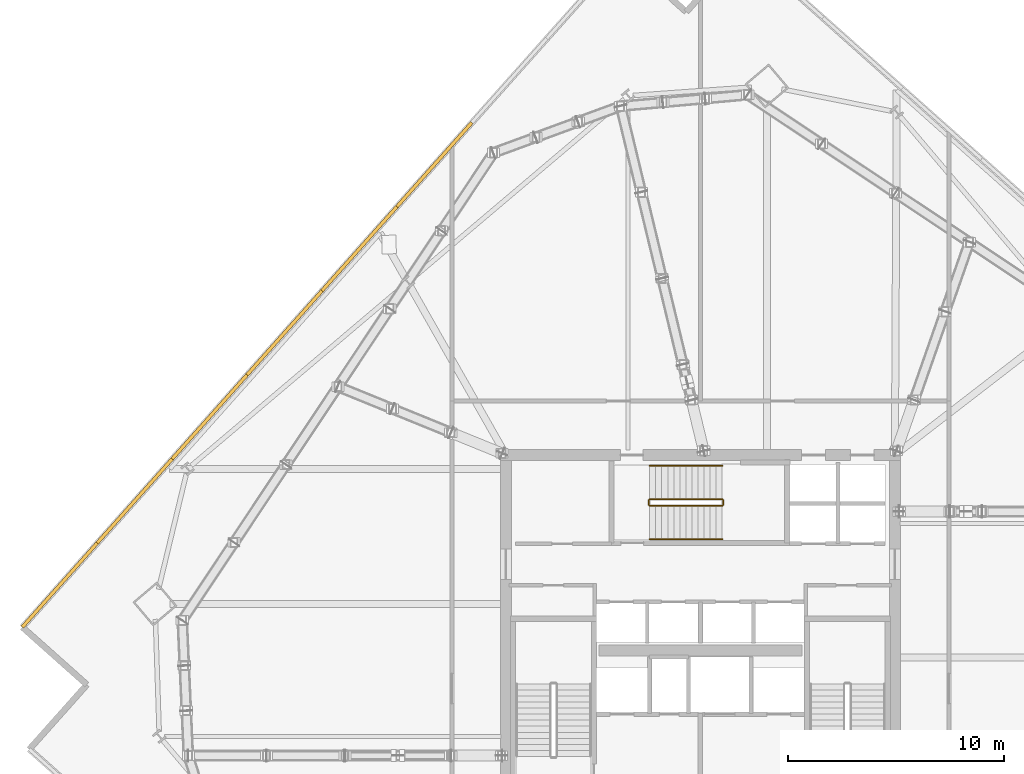
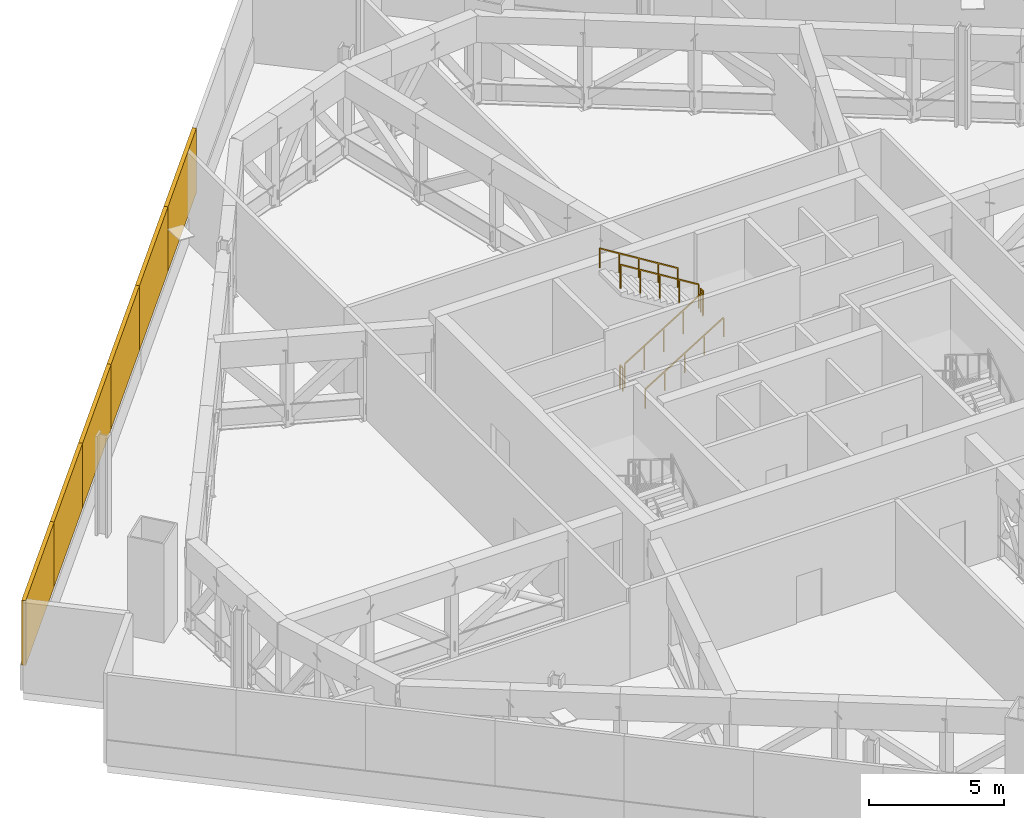
# One storey, part 17 of 18: 6 railings, 6 shading devices.
"""IFC4 building model written with IfcOpenShell, lengths in metres."""

from ifc_helpers import new_model, si_unit, direction, frame, origin, origin_2d, place, context, subcontext, project, spatial, rectangle, extrude, source, transform, mapped, material, layer, layer_set, type_object, element, save


model = new_model("IFC4")

# Units and contexts
model_context = context("Model", 3, precision=1e-05, world=origin(), true_north=direction((0.0, 1.0)))
body_context = subcontext(model_context, "Body", "Model", "MODEL_VIEW")
ifc_project = project(units=[si_unit("LENGTHUNIT", "METRE"), si_unit("AREAUNIT", "SQUARE_METRE"), si_unit("VOLUMEUNIT", "CUBIC_METRE"), si_unit("PLANEANGLEUNIT", "RADIAN"), si_unit("MASSUNIT", "GRAM", prefix="KILO")], contexts=[model_context])

# Site, building, storey
site_placement = place(None, origin())
site = spatial("IfcSite", under=ifc_project, at=site_placement, CompositionType="ELEMENT")
building_placement = place(site_placement, origin())
building = spatial("IfcBuilding", under=site, at=building_placement, Name="Haldenkirk Collegiate Tower", CompositionType="ELEMENT")
storey_placement = place(building_placement, frame((0.0, 0.0, 189.449951171875)))
storey = spatial("IfcBuildingStorey", under=building, at=storey_placement, Name="L47", CompositionType="ELEMENT", Elevation=189.449951171875)

# Railings
ifc_material_1 = material(Name="Painted architectural tubular steel", Category="steel")
railing_type_1 = type_object("IfcRailingType", Name="RLG-STAIR-GUARD-1100", PredefinedType="BALUSTRADE", material=ifc_material_1)
railing_1_placement = place(storey_placement, frame((33.64990234375, 31.64990234375, 0.173095703125)))
element("IfcRailing", 1, at=railing_1_placement, inside=storey, type_object=railing_type_1, Name="L47 ST-3 stair guard 1", PredefinedType="BALUSTRADE", context=body_context, shape_type="SweptSolid", body=[
    extrude(rectangle(XDim=0.048095703125, YDim=0.048095703125, at=origin_2d()), frame((0.0, 0.0, 1.076171875), z_axis=(0.850623216509, 0.0, 0.525775754039), x_axis=(0.0, 1.0, 0.0)), (0.0, 0.0, 1.0), 3.9501953125),
    extrude(rectangle(XDim=0.0419921875, YDim=0.0419921875, at=origin_2d()), origin(), (0.0, 0.0, 1.0), 1.052001953125),
    extrude(rectangle(XDim=0.0419921875, YDim=0.0419921875, at=origin_2d()), frame((0.840087890625, 0.0, 0.519287109375)), (0.0, 0.0, 1.0), 1.052001953125),
    extrude(rectangle(XDim=0.0419921875, YDim=0.0419921875, at=origin_2d()), frame((1.68017578125, 0.0, 1.03857421875)), (0.0, 0.0, 1.0), 1.052001953125),
    extrude(rectangle(XDim=0.0419921875, YDim=0.0419921875, at=origin_2d()), frame((2.52001953125, 0.0, 1.5576171875)), (0.0, 0.0, 1.0), 1.052001953125),
    extrude(rectangle(XDim=0.0419921875, YDim=0.0419921875, at=origin_2d()), frame((3.360107421875, 0.0, 2.076904296875)), (0.0, 0.0, 1.0), 1.052001953125),
])
railing_2_placement = place(storey_placement, frame((37.06005859375, 31.699951171875, 2.25)))
element("IfcRailing", 2, at=railing_2_placement, inside=storey, type_object=railing_type_1, Name="L47 ST-3 stair guard 2", PredefinedType="BALUSTRADE", context=body_context, shape_type="SweptSolid", body=[
    extrude(rectangle(XDim=0.048095703125, YDim=0.048095703125, at=origin_2d()), frame((0.0, 0.0, 1.076171875), z_axis=(0.0, 1.0, 0.0), x_axis=(-1.0, 0.0, 0.0)), (0.0, 0.0, 1.0), 0.199951171875),
    extrude(rectangle(XDim=0.0419921875, YDim=0.0419921875, at=origin_2d()), origin(), (0.0, 0.0, 1.0), 1.052001953125),
    extrude(rectangle(XDim=0.0419921875, YDim=0.0419921875, at=origin_2d()), frame((0.0, 0.199951171875, 0.0)), (0.0, 0.0, 1.0), 1.052001953125),
])
railing_3_placement = place(storey_placement, frame((37.010009765625, 31.949951171875, 2.423095703125)))
element("IfcRailing", 3, at=railing_3_placement, inside=storey, type_object=railing_type_1, Name="L47 ST-3 stair guard 3", PredefinedType="BALUSTRADE", context=body_context, shape_type="SweptSolid", body=[
    extrude(rectangle(XDim=0.048095703125, YDim=0.048095703125, at=origin_2d()), frame((0.0, 0.0, 1.076171875), z_axis=(-0.850623216509, 0.0, 0.525775754039), x_axis=(0.0, -1.0, 0.0)), (0.0, 0.0, 1.0), 3.9501953125),
    extrude(rectangle(XDim=0.0419921875, YDim=0.0419921875, at=origin_2d()), origin(), (0.0, 0.0, 1.0), 1.052001953125),
    extrude(rectangle(XDim=0.0419921875, YDim=0.0419921875, at=origin_2d()), frame((-0.840087890625, 0.0, 0.519287109375)), (0.0, 0.0, 1.0), 1.052001953125),
    extrude(rectangle(XDim=0.0419921875, YDim=0.0419921875, at=origin_2d()), frame((-1.68017578125, 0.0, 1.03857421875)), (0.0, 0.0, 1.0), 1.052001953125),
    extrude(rectangle(XDim=0.0419921875, YDim=0.0419921875, at=origin_2d()), frame((-2.52001953125, 0.0, 1.5576171875)), (0.0, 0.0, 1.0), 1.052001953125),
    extrude(rectangle(XDim=0.0419921875, YDim=0.0419921875, at=origin_2d()), frame((-3.360107421875, 0.0, 2.076904296875)), (0.0, 0.0, 1.0), 1.052001953125),
])
railing_4_placement = place(storey_placement, frame((33.60009765625, 31.699951171875, 0.0)))
element("IfcRailing", 4, at=railing_4_placement, inside=storey, type_object=railing_type_1, Name="L47 ST-3 stair guard 4", PredefinedType="BALUSTRADE", context=body_context, shape_type="SweptSolid", body=[
    extrude(rectangle(XDim=0.048095703125, YDim=0.048095703125, at=origin_2d()), frame((0.0, 0.0, 1.076171875), z_axis=(0.0, 1.0, 0.0), x_axis=(-1.0, 0.0, 0.0)), (0.0, 0.0, 1.0), 0.199951171875),
    extrude(rectangle(XDim=0.0419921875, YDim=0.0419921875, at=origin_2d()), origin(), (0.0, 0.0, 1.0), 1.052001953125),
    extrude(rectangle(XDim=0.0419921875, YDim=0.0419921875, at=origin_2d()), frame((0.0, 0.199951171875, 0.0)), (0.0, 0.0, 1.0), 1.052001953125),
])
railing_type_2 = type_object("IfcRailingType", Name="RLG-STAIR-HANDRAIL-900", PredefinedType="HANDRAIL", material=ifc_material_1)
railing_5_placement = place(storey_placement, frame((33.64990234375, 30.10009765625, 0.173095703125)))
element("IfcRailing", 5, at=railing_5_placement, inside=storey, type_object=railing_type_2, Name="L47 ST-3 stair handrail 1", PredefinedType="HANDRAIL", context=body_context, shape_type="SweptSolid", body=[
    extrude(rectangle(XDim=0.048095703125, YDim=0.048095703125, at=origin_2d()), frame((0.0, 0.0, 0.8759765625), z_axis=(0.850623216509, 0.0, 0.525775754039), x_axis=(0.0, 1.0, 0.0)), (0.0, 0.0, 1.0), 3.9501953125),
    extrude(rectangle(XDim=0.0419921875, YDim=0.0419921875, at=origin_2d()), origin(), (0.0, 0.0, 1.0), 0.851806640625),
    extrude(rectangle(XDim=0.0419921875, YDim=0.0419921875, at=origin_2d()), frame((0.840087890625, 0.0, 0.519287109375)), (0.0, 0.0, 1.0), 0.851806640625),
    extrude(rectangle(XDim=0.0419921875, YDim=0.0419921875, at=origin_2d()), frame((1.68017578125, 0.0, 1.03857421875)), (0.0, 0.0, 1.0), 0.851806640625),
    extrude(rectangle(XDim=0.0419921875, YDim=0.0419921875, at=origin_2d()), frame((2.52001953125, 0.0, 1.5576171875)), (0.0, 0.0, 1.0), 0.851806640625),
    extrude(rectangle(XDim=0.0419921875, YDim=0.0419921875, at=origin_2d()), frame((3.360107421875, 0.0, 2.076904296875)), (0.0, 0.0, 1.0), 0.851806640625),
])
railing_6_placement = place(storey_placement, frame((37.010009765625, 33.5, 2.423095703125)))
element("IfcRailing", 6, at=railing_6_placement, inside=storey, type_object=railing_type_2, Name="L47 ST-3 stair handrail 2", PredefinedType="HANDRAIL", context=body_context, shape_type="SweptSolid", body=[
    extrude(rectangle(XDim=0.048095703125, YDim=0.048095703125, at=origin_2d()), frame((0.0, 0.0, 0.8759765625), z_axis=(-0.850623216509, 0.0, 0.525775754039), x_axis=(0.0, -1.0, 0.0)), (0.0, 0.0, 1.0), 3.9501953125),
    extrude(rectangle(XDim=0.0419921875, YDim=0.0419921875, at=origin_2d()), origin(), (0.0, 0.0, 1.0), 0.851806640625),
    extrude(rectangle(XDim=0.0419921875, YDim=0.0419921875, at=origin_2d()), frame((-0.840087890625, 0.0, 0.519287109375)), (0.0, 0.0, 1.0), 0.851806640625),
    extrude(rectangle(XDim=0.0419921875, YDim=0.0419921875, at=origin_2d()), frame((-1.68017578125, 0.0, 1.03857421875)), (0.0, 0.0, 1.0), 0.851806640625),
    extrude(rectangle(XDim=0.0419921875, YDim=0.0419921875, at=origin_2d()), frame((-2.52001953125, 0.0, 1.5576171875)), (0.0, 0.0, 1.0), 0.851806640625),
    extrude(rectangle(XDim=0.0419921875, YDim=0.0419921875, at=origin_2d()), frame((-3.360107421875, 0.0, 2.076904296875)), (0.0, 0.0, 1.0), 0.851806640625),
])

# Shading devices
ifc_material_2 = material(Name="Anodised architectural bronze aluminium", Category="aluminium")
ifc_layer = layer(ifc_material_2, 0.139892578125)
ifc_layer_set = layer_set([ifc_layer], Name="Anodised architectural bronze aluminium")
shading_device_type = type_object("IfcShadingDeviceType", Name="SHD-LOUVRE-CROWN", PredefinedType="JALOUSIE", material=ifc_layer_set)
shared_shape = source(origin(), body_context, "Body", "SweptSolid", [
    extrude(rectangle(XDim=5.21240234375, YDim=0.159912109375, at=origin_2d()), origin(), (0.0, 0.0, 1.0), 2.93994140625),
])
for number, where, z_axis, x_axis, name in (
    (7, (6.35498046875, 27.97802734375, 1.150146484375), (0.0, 0.0, 1.0), (0.665230354654, 0.746638182285, 0.0), "L47 mechanical intake louvre screen N1"),
    (8, (9.822509765625, 31.8701171875, 1.150146484375), (0.0, 0.0, 1.0), (0.665230354654, 0.746638182285, 0.0), "L47 mechanical intake louvre screen N2"),
    (9, (13.2900390625, 35.761962890625, 1.150146484375), (0.0, 0.0, 1.0), (0.665230354654, 0.746638182285, 0.0), "L47 mechanical intake louvre screen N3"),
    (10, (16.757568359375, 39.65380859375, 1.150146484375), (0.0, 0.0, 1.0), (0.665230354654, 0.746638182285, 0.0), "L47 mechanical intake louvre screen N4"),
    (11, (20.22509765625, 43.545654296875, 1.150146484375), (0.0, 0.0, 1.0), (0.665230354654, 0.746638182285, 0.0), "L47 mechanical intake louvre screen N5"),
    (12, (23.692626953125, 47.4375, 1.150146484375), (0.0, 0.0, 1.0), (0.665230354654, 0.746638182285, 0.0), "L47 mechanical intake louvre screen N6"),
):
    element("IfcShadingDevice", number, at=place(storey_placement, frame(where, z_axis=z_axis, x_axis=x_axis)), inside=storey, type_object=shading_device_type, Name=name, PredefinedType="JALOUSIE", context=body_context, shape_type="MappedRepresentation", body=[
        mapped(shared_shape, transform((0.0, 0.0, 0.0), x_axis=(1.0, 0.0, 0.0), y_axis=(0.0, 1.0, 0.0), z_axis=(0.0, 0.0, 1.0), scale=1.0)),
    ])

save(model, "model.ifc")
